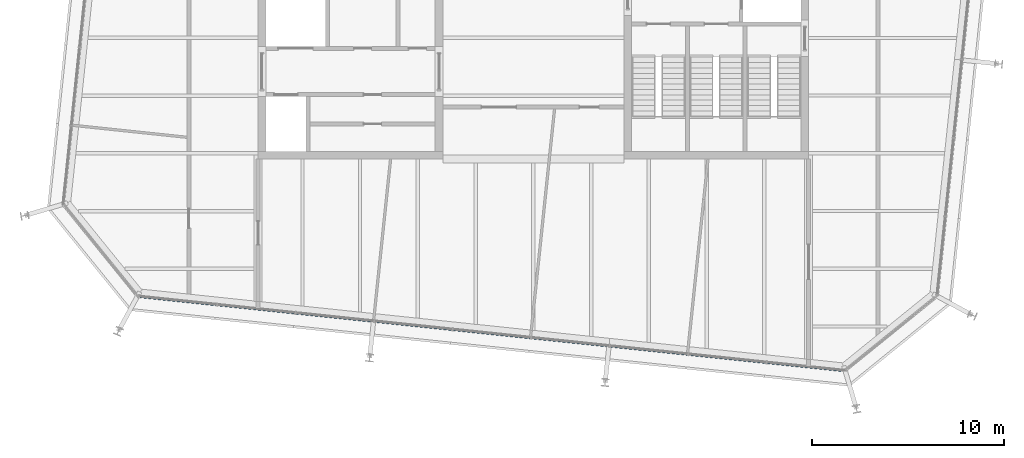
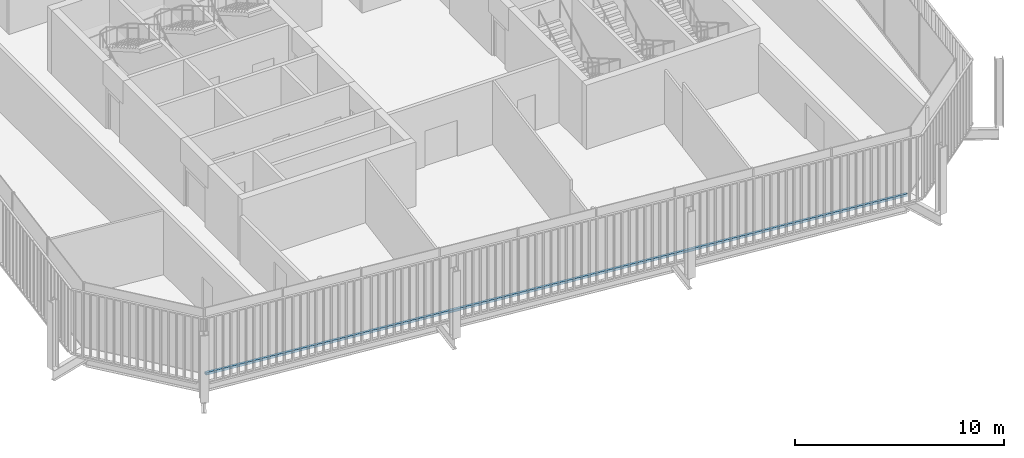
# One storey, part 4 of 20: 1 member, 1 element without a shape of its own.
"""IFC4 building model written with IfcOpenShell, lengths in metres."""

from ifc_helpers import new_model, si_unit, direction, frame, origin, origin_2d, place, context, subcontext, project, spatial, rectangle, extrude, material, layer, layer_set, material_profile, profile_set, type_object, element, aggregate, save


model = new_model("IFC4")

# Units and contexts
model_context = context("Model", 3, precision=1e-05, world=origin(), true_north=direction((0.0, 1.0)))
body_context = subcontext(model_context, "Body", "Model", "MODEL_VIEW")
ifc_project = project(units=[si_unit("LENGTHUNIT", "METRE"), si_unit("AREAUNIT", "SQUARE_METRE"), si_unit("VOLUMEUNIT", "CUBIC_METRE"), si_unit("PLANEANGLEUNIT", "RADIAN"), si_unit("MASSUNIT", "GRAM", prefix="KILO")], contexts=[model_context])

# Site, building, storey
site_placement = place(None, origin())
site = spatial("IfcSite", under=ifc_project, at=site_placement, CompositionType="ELEMENT")
building_placement = place(site_placement, origin())
building = spatial("IfcBuilding", under=site, at=building_placement, Name="Millrace Tower", CompositionType="ELEMENT")
storey_placement = place(building_placement, frame((0.0, 0.0, 295.5)))
storey = spatial("IfcBuildingStorey", under=building, at=storey_placement, Name="L68", CompositionType="ELEMENT", Elevation=295.5)

# Curtain wall, member
ifc_material_1 = material(Name="Aluminium and glass", Category="aluminium")
ifc_layer = layer(ifc_material_1, 0.14990234375)
ifc_layer_set = layer_set([ifc_layer], Name="Aluminium and glass")
curtain_wall_type = type_object("IfcCurtainWallType", Name="CW-1 office vision curtain wall", PredefinedType="NOTDEFINED", material=ifc_layer_set)
curtain_wall_placement = place(storey_placement, origin())
curtain_wall = element("IfcCurtainWall", 1, at=curtain_wall_placement, inside=storey, type_object=curtain_wall_type, Name="Curtain wall E-F02 L68", PredefinedType="NOTDEFINED")
ifc_material_2 = material(Name="Aluminium", Category="aluminium")
ifc_material_profile = material_profile(ifc_material_2, rectangle(XDim=0.14990234375, YDim=0.139892578125, at=origin_2d()))
ifc_profile_set = profile_set([ifc_material_profile], Name="Aluminium")
member_type = type_object("IfcMemberType", Name="CW-1 office vision curtain wall transom", PredefinedType="USERDEFINED", material=ifc_profile_set)
member_placement = place(storey_placement, frame((-20.435302734375, -16.431884765625, 0.070068359375), z_axis=(0.994521952886, -0.104527916025, 0.0), x_axis=(0.104527916025, 0.994521952886, 0.0)))
member = element("IfcMember", 2, at=member_placement, type_object=member_type, Name="CW1 transom E-F02.1", ObjectType="TRANSOM", PredefinedType="USERDEFINED", context=body_context, shape_type="SweptSolid", body=[
    extrude(rectangle(XDim=0.14990234375, YDim=0.139892578125, at=origin_2d()), origin(), (0.0, 0.0, 1.0), 36.699951171875),
])
aggregate(curtain_wall, [member])

save(model, "model.ifc")
